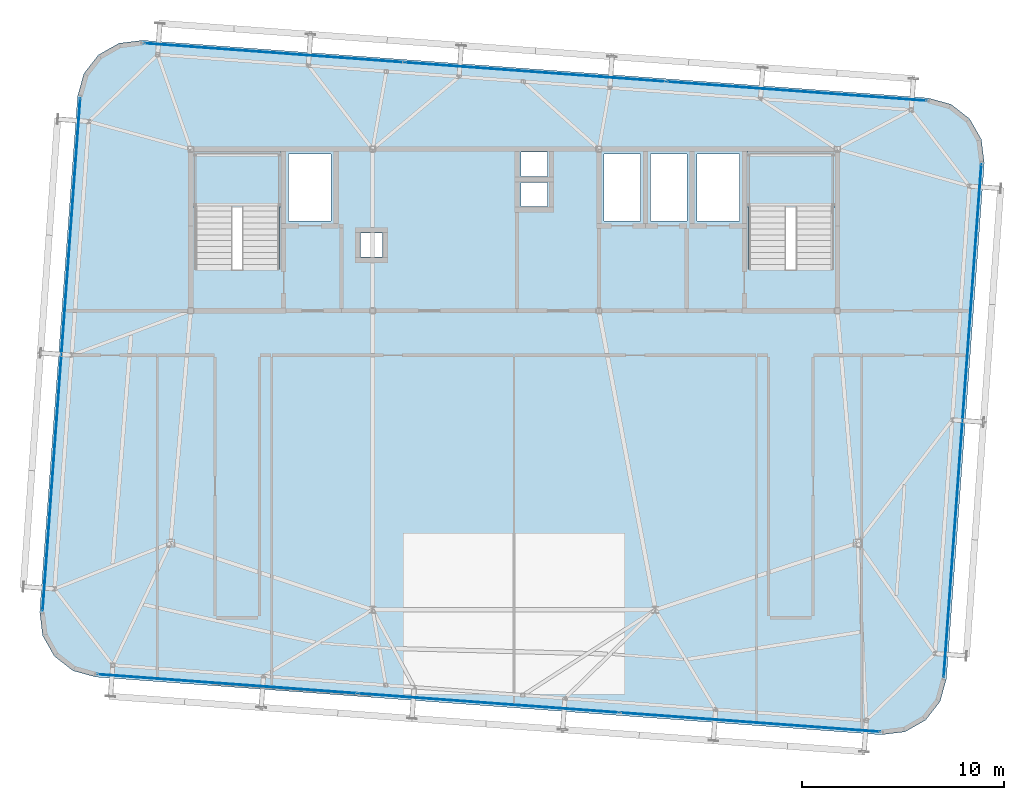
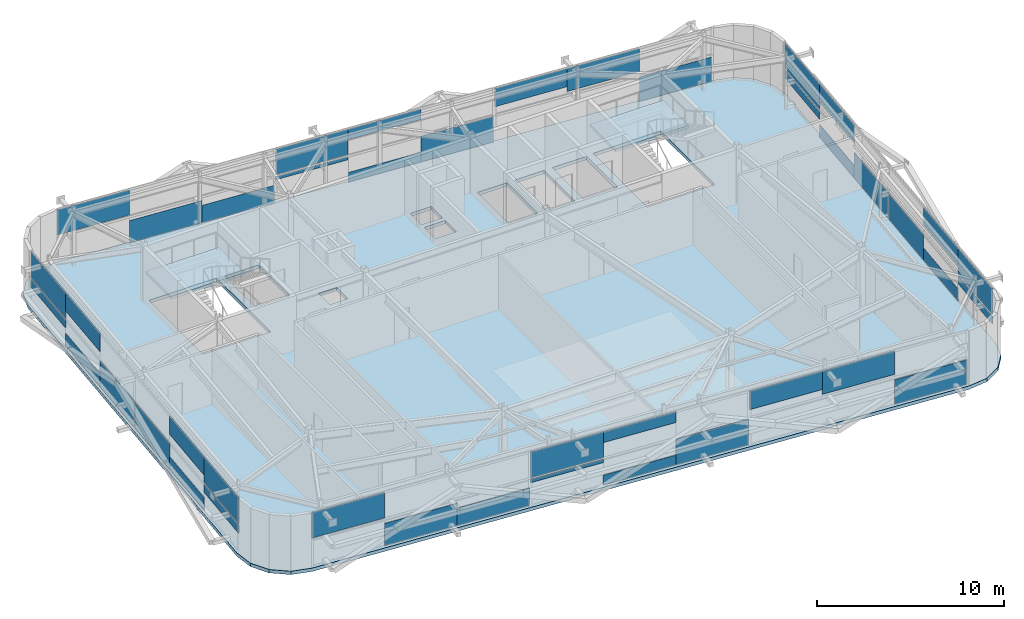
# One storey, part 23 of 35: 42 plates, 3 slabs, 10 elements without a shape of their own.
"""IFC4 building model written with IfcOpenShell, lengths in metres."""

from ifc_helpers import new_model, si_unit, direction, frame, origin, origin_2d, place, context, subcontext, project, spatial, polyline, rectangle, outline, extrude, source, transform, mapped, material, layer, layer_set, type_object, element, aggregate, save


model = new_model("IFC4")

# Units and contexts
model_context = context("Model", 3, precision=1e-05, world=origin(), true_north=direction((0.0, 1.0)))
body_context = subcontext(model_context, "Body", "Model", "MODEL_VIEW")
ifc_project = project(units=[si_unit("LENGTHUNIT", "METRE"), si_unit("AREAUNIT", "SQUARE_METRE"), si_unit("VOLUMEUNIT", "CUBIC_METRE"), si_unit("PLANEANGLEUNIT", "RADIAN"), si_unit("MASSUNIT", "GRAM", prefix="KILO")], contexts=[model_context])

# Site, building, storey
site_placement = place(None, origin())
site = spatial("IfcSite", under=ifc_project, at=site_placement, CompositionType="ELEMENT")
building_placement = place(site_placement, origin())
building = spatial("IfcBuilding", under=site, at=building_placement, Name="Taldren Reach Tower", CompositionType="ELEMENT")
storey_placement = place(building_placement, frame((0.0, 0.0, 249.199951171875)))
storey = spatial("IfcBuildingStorey", under=building, at=storey_placement, Name="L76", CompositionType="ELEMENT", Elevation=249.199951171875)

# Slab
ifc_material_1 = material(Name="Concrete N40 (40 MPa)", Category="concrete")
ifc_layer_1 = layer(ifc_material_1, 0.219970703125)
ifc_layer_set_1 = layer_set([ifc_layer_1], Name="Concrete N40 (40 MPa)")
slab_type_1 = type_object("IfcSlabType", Name="SL-FLR-220", PredefinedType="FLOOR", material=ifc_layer_set_1)
slab_1_placement = place(storey_placement, frame((0.0, 0.0, -0.219970703125)))
element("IfcSlab", 1, at=slab_1_placement, inside=storey, type_object=slab_type_1, Name="Suspended floor slab L76", PredefinedType="FLOOR", context=body_context, shape_type="SweptSolid", body=[
    extrude(outline(polyline([(53.1904296875, 3.014404296875), (54.35205078125, 3.157958984375), (55.370361328125, 3.7353515625), (56.09033203125, 4.658203125), (56.402099609375, 5.78662109375), (58.277099609375, 31.31787109375), (58.13330078125, 32.4794921875), (57.55615234375, 33.497802734375), (56.633056640625, 34.217529296875), (55.5048828125, 34.529541015625), (16.609619140625, 37.3857421875), (15.44775390625, 37.241943359375), (14.429443359375, 36.664794921875), (13.709716796875, 35.74169921875), (13.39794921875, 34.613525390625), (11.52294921875, 9.082275390625), (11.666748046875, 7.920654296875), (12.243896484375, 6.90234375), (13.1669921875, 6.182373046875), (14.295166015625, 5.87060546875), (53.1904296875, 3.014404296875)]), holes=[polyline([(19.219970703125, 26.050048828125), (23.3798828125, 26.050048828125), (23.3798828125, 31.820068359375), (19.219970703125, 31.820068359375), (19.219970703125, 26.050048828125)]), polyline([(46.6201171875, 26.050048828125), (50.780029296875, 26.050048828125), (50.780029296875, 31.820068359375), (46.6201171875, 31.820068359375), (46.6201171875, 26.050048828125)]), polyline([(23.85009765625, 28.449951171875), (25.949951171875, 28.449951171875), (25.949951171875, 31.75), (23.85009765625, 31.75), (23.85009765625, 28.449951171875)]), polyline([(44.050048828125, 28.449951171875), (46.14990234375, 28.449951171875), (46.14990234375, 31.75), (44.050048828125, 31.75), (44.050048828125, 28.449951171875)]), polyline([(39.449951171875, 28.449951171875), (41.25, 28.449951171875), (41.25, 31.75), (39.449951171875, 31.75), (39.449951171875, 28.449951171875)]), polyline([(41.75, 28.449951171875), (43.550048828125, 28.449951171875), (43.550048828125, 31.75), (41.75, 31.75), (41.75, 28.449951171875)]), polyline([(35.35009765625, 30.64990234375), (36.64990234375, 30.64990234375), (36.64990234375, 31.85009765625), (35.35009765625, 31.85009765625), (35.35009765625, 30.64990234375)]), polyline([(35.35009765625, 29.14990234375), (36.64990234375, 29.14990234375), (36.64990234375, 30.35009765625), (35.35009765625, 30.35009765625), (35.35009765625, 29.14990234375)]), polyline([(27.39990234375, 26.64990234375), (28.5, 26.64990234375), (28.5, 27.85009765625), (27.39990234375, 27.85009765625), (27.39990234375, 26.64990234375)])]), origin(), (0.0, 0.0, 1.0), 0.219970703125),
])

# Stair, slab
ifc_material_2 = material(Name="Concrete S50 (50 MPa)", Category="concrete")
stair_type = type_object("IfcStairType", Name="ST-HT-385", PredefinedType="HALF_TURN_STAIR", material=ifc_material_2)
stair_1_placement = place(storey_placement, origin())
stair_1 = element("IfcStair", 2, at=stair_1_placement, inside=storey, type_object=stair_type, Name="Fire-isolated exit stair ST1 L76", PredefinedType="HALF_TURN_STAIR")
ifc_layer_2 = layer(ifc_material_2, 0.179931640625)
ifc_layer_set_2 = layer_set([ifc_layer_2], Name="Concrete S50 (50 MPa)")
slab_type_2 = type_object("IfcSlabType", Name="SL-LAND-180", PredefinedType="LANDING", material=ifc_layer_set_2)
slab_2_placement = place(storey_placement, frame((0.0, 0.0, 1.7451171875)))
slab_2 = element("IfcSlab", 3, at=slab_2_placement, type_object=slab_type_2, Name="ST1 landing 1", PredefinedType="LANDING", context=body_context, shape_type="SweptSolid", body=[
    extrude(outline(polyline([(19.0400390625, 29.135009765625), (23.56005859375, 29.135009765625), (23.56005859375, 31.8701171875), (19.0400390625, 31.8701171875), (19.0400390625, 29.135009765625)])), origin(), (0.0, 0.0, 1.0), 0.179931640625),
])
aggregate(stair_1, [slab_2])

stair_2_placement = place(storey_placement, origin())
stair_2 = element("IfcStair", 4, at=stair_2_placement, inside=storey, type_object=stair_type, Name="Fire-isolated exit stair ST2 L76", PredefinedType="HALF_TURN_STAIR")
slab_3_placement = place(storey_placement, frame((0.0, 0.0, 1.7451171875)))
slab_3 = element("IfcSlab", 5, at=slab_3_placement, type_object=slab_type_2, Name="ST2 landing 1", PredefinedType="LANDING", context=body_context, shape_type="SweptSolid", body=[
    extrude(outline(polyline([(46.43994140625, 29.135009765625), (50.9599609375, 29.135009765625), (50.9599609375, 31.8701171875), (46.43994140625, 31.8701171875), (46.43994140625, 29.135009765625)])), origin(), (0.0, 0.0, 1.0), 0.179931640625),
])
aggregate(stair_2, [slab_3])

# Curtain wall, plate
ifc_material_3 = material(Name="Aluminium and Low-E Glass Unitised System", Category="aluminium")
ifc_layer_3 = layer(ifc_material_3, 0.159912109375)
ifc_layer_set_3 = layer_set([ifc_layer_3], Name="Aluminium and Low-E Glass Unitised System")
curtain_wall_type = type_object("IfcCurtainWallType", Name="CW-SYS-6", PredefinedType="NOTDEFINED", material=ifc_layer_set_3)
curtain_wall_1_placement = place(storey_placement, origin())
curtain_wall_1 = element("IfcCurtainWall", 6, at=curtain_wall_1_placement, inside=storey, type_object=curtain_wall_type, Name="Unitised curtain wall CW-L76-S", PredefinedType="NOTDEFINED")
ifc_material_4 = material(Name="Acoustic Triple-Laminated IGU", Category="glass")
ifc_layer_4 = layer(ifc_material_4, 0.035888671875)
ifc_layer_set_4 = layer_set([ifc_layer_4], Name="Acoustic Triple-Laminated IGU")
plate_type = type_object("IfcPlateType", Name="CW-PNL-IGU36", PredefinedType="CURTAIN_PANEL", material=ifc_layer_set_4)
shared_shape_1 = source(origin(), body_context, "Body", "SweptSolid", [
    extrude(rectangle(XDim=4.2958984375, YDim=0.035888671875, at=origin_2d()), origin(), (0.0, 0.0, 1.0), 1.44482421875),
])
plate_1_placement = place(storey_placement, frame((20.806640625, 5.53271484375, 0.06005859375), z_axis=(0.0, 0.0, 1.0), x_axis=(0.997314476006, -0.073238213716, 0.0)))
plate_1 = element("IfcPlate", 7, at=plate_1_placement, type_object=plate_type, Name="CW-6 panel 1.1 part 1", PredefinedType="CURTAIN_PANEL", context=body_context, shape_type="MappedRepresentation", body=[
    mapped(shared_shape_1, transform((0.0, 0.0, 0.0), scale=1.0)),
])

curtain_wall_2_placement = place(storey_placement, origin())
curtain_wall_2 = element("IfcCurtainWall", 8, at=curtain_wall_2_placement, inside=storey, type_object=curtain_wall_type, Name="Unitised curtain wall CW-L76-N", PredefinedType="NOTDEFINED")
plate_2_placement = place(storey_placement, frame((23.1005859375, 36.7685546875, 0.06005859375), z_axis=(0.0, 0.0, 1.0), x_axis=(-0.997314476006, 0.073238213716, 0.0)))
plate_2 = element("IfcPlate", 9, at=plate_2_placement, type_object=plate_type, Name="CW-6 panel 3.1 part 2", PredefinedType="CURTAIN_PANEL", context=body_context, shape_type="MappedRepresentation", body=[
    mapped(shared_shape_1, transform((0.0, 0.0, 0.0), scale=1.0)),
])

# Plate
shared_shape_2 = source(origin(), body_context, "Body", "SweptSolid", [
    extrude(rectangle(XDim=4.2958984375, YDim=0.035888671875, at=origin_2d()), origin(), (0.0, 0.0, 1.0), 1.12744140625),
])
plate_3_placement = place(storey_placement, frame((25.091064453125, 5.21826171875, 0.06005859375), z_axis=(0.0, 0.0, 1.0), x_axis=(0.997314476006, -0.073238213716, 0.0)))
plate_3 = element("IfcPlate", 10, at=plate_3_placement, type_object=plate_type, Name="CW-6 panel 1.1 part 2", PredefinedType="CURTAIN_PANEL", context=body_context, shape_type="MappedRepresentation", body=[
    mapped(shared_shape_2, transform((0.0, 0.0, 0.0), scale=1.0)),
])

plate_4_placement = place(storey_placement, frame((27.384765625, 36.4541015625, 0.06005859375), z_axis=(0.0, 0.0, 1.0), x_axis=(-0.997314476006, 0.073238213716, 0.0)))
plate_4 = element("IfcPlate", 11, at=plate_4_placement, type_object=plate_type, Name="CW-6 panel 3.1 part 1", PredefinedType="CURTAIN_PANEL", context=body_context, shape_type="MappedRepresentation", body=[
    mapped(shared_shape_2, transform((0.0, 0.0, 0.0), scale=1.0)),
])

shared_shape_3 = source(origin(), body_context, "Body", "SweptSolid", [
    extrude(rectangle(XDim=4.308349609375, YDim=0.035888671875, at=origin_2d()), origin(), (0.0, 0.0, 1.0), 0.20703125),
])
plate_5_placement = place(storey_placement, frame((29.456298828125, 4.897705078125, 1.51806640625), z_axis=(0.0, 0.0, 1.0), x_axis=(0.997314476006, -0.073238213716, 0.0)))
plate_5 = element("IfcPlate", 12, at=plate_5_placement, type_object=plate_type, Name="CW-6 panel 2.1 part 1", PredefinedType="CURTAIN_PANEL", context=body_context, shape_type="MappedRepresentation", body=[
    mapped(shared_shape_3, transform((0.0, 0.0, 0.0), scale=1.0)),
])

plate_6_placement = place(storey_placement, frame((31.750244140625, 36.133544921875, 1.51806640625), z_axis=(0.0, 0.0, 1.0), x_axis=(-0.997314476006, 0.073238213716, 0.0)))
plate_6 = element("IfcPlate", 13, at=plate_6_placement, type_object=plate_type, Name="CW-6 panel 2.1 part 3", PredefinedType="CURTAIN_PANEL", context=body_context, shape_type="MappedRepresentation", body=[
    mapped(shared_shape_3, transform((0.0, 0.0, 0.0), scale=1.0)),
])

shared_shape_4 = source(origin(), body_context, "Body", "SweptSolid", [
    extrude(rectangle(XDim=4.308349609375, YDim=0.035888671875, at=origin_2d()), origin(), (0.0, 0.0, 1.0), 0.630126953125),
])
plate_7_placement = place(storey_placement, frame((33.753173828125, 4.58203125, 0.06005859375), z_axis=(0.0, 0.0, 1.0), x_axis=(0.997314476006, -0.073238213716, 0.0)))
plate_7 = element("IfcPlate", 14, at=plate_7_placement, type_object=plate_type, Name="CW-6 panel 2.1 part 2", PredefinedType="CURTAIN_PANEL", context=body_context, shape_type="MappedRepresentation", body=[
    mapped(shared_shape_4, transform((0.0, 0.0, 0.0), scale=1.0)),
])

plate_8_placement = place(storey_placement, frame((36.046875, 35.81787109375, 0.06005859375), z_axis=(0.0, 0.0, 1.0), x_axis=(-0.997314476006, 0.073238213716, 0.0)))
plate_8 = element("IfcPlate", 15, at=plate_8_placement, type_object=plate_type, Name="CW-6 panel 2.1 part 2", PredefinedType="CURTAIN_PANEL", context=body_context, shape_type="MappedRepresentation", body=[
    mapped(shared_shape_4, transform((0.0, 0.0, 0.0), scale=1.0)),
])

shared_shape_5 = source(origin(), body_context, "Body", "SweptSolid", [
    extrude(rectangle(XDim=4.308349609375, YDim=0.035888671875, at=origin_2d()), origin(), (0.0, 0.0, 1.0), 1.6650390625),
])
plate_9_placement = place(storey_placement, frame((38.0498046875, 4.2666015625, 0.06005859375), z_axis=(0.0, 0.0, 1.0), x_axis=(0.997314476006, -0.073238213716, 0.0)))
plate_9 = element("IfcPlate", 16, at=plate_9_placement, type_object=plate_type, Name="CW-6 panel 2.1 part 3", PredefinedType="CURTAIN_PANEL", context=body_context, shape_type="MappedRepresentation", body=[
    mapped(shared_shape_5, transform((0.0, 0.0, 0.0), scale=1.0)),
])

# Curtain wall, plate
curtain_wall_3_placement = place(storey_placement, origin())
curtain_wall_3 = element("IfcCurtainWall", 17, at=curtain_wall_3_placement, inside=storey, type_object=curtain_wall_type, Name="Unitised curtain wall CW-L76-S-T2", PredefinedType="NOTDEFINED")
plate_10_placement = place(storey_placement, frame((29.456298828125, 4.897705078125, 1.844970703125), z_axis=(0.0, 0.0, 1.0), x_axis=(0.997314476006, -0.073238213716, 0.0)))
plate_10 = element("IfcPlate", 18, at=plate_10_placement, type_object=plate_type, Name="CW-6 panel 2.1 part 1", PredefinedType="CURTAIN_PANEL", context=body_context, shape_type="MappedRepresentation", body=[
    mapped(shared_shape_5, transform((0.0, 0.0, 0.0), scale=1.0)),
])

# Plate
plate_11_placement = place(storey_placement, frame((40.34375, 35.50244140625, 0.06005859375), z_axis=(0.0, 0.0, 1.0), x_axis=(-0.997314476006, 0.073238213716, 0.0)))
plate_11 = element("IfcPlate", 19, at=plate_11_placement, type_object=plate_type, Name="CW-6 panel 2.1 part 1", PredefinedType="CURTAIN_PANEL", context=body_context, shape_type="MappedRepresentation", body=[
    mapped(shared_shape_5, transform((0.0, 0.0, 0.0), scale=1.0)),
])

# Curtain wall, plate
curtain_wall_4_placement = place(storey_placement, origin())
curtain_wall_4 = element("IfcCurtainWall", 20, at=curtain_wall_4_placement, inside=storey, type_object=curtain_wall_type, Name="Unitised curtain wall CW-L76-N-T2", PredefinedType="NOTDEFINED")
plate_12_placement = place(storey_placement, frame((31.750244140625, 36.133544921875, 1.844970703125), z_axis=(0.0, 0.0, 1.0), x_axis=(-0.997314476006, 0.073238213716, 0.0)))
plate_12 = element("IfcPlate", 21, at=plate_12_placement, type_object=plate_type, Name="CW-6 panel 2.1 part 2", PredefinedType="CURTAIN_PANEL", context=body_context, shape_type="MappedRepresentation", body=[
    mapped(shared_shape_5, transform((0.0, 0.0, 0.0), scale=1.0)),
])

# Plate
shared_shape_6 = source(origin(), body_context, "Body", "SweptSolid", [
    extrude(rectangle(XDim=4.2958984375, YDim=0.035888671875, at=origin_2d()), origin(), (0.0, 0.0, 1.0), 1.583740234375),
])
plate_13_placement = place(storey_placement, frame((50.98388671875, 3.316650390625, 0.06005859375), z_axis=(0.0, 0.0, 1.0), x_axis=(0.997314476006, -0.073238213716, 0.0)))
plate_13 = element("IfcPlate", 22, at=plate_13_placement, type_object=plate_type, Name="CW-6 panel 3.1 part 1", PredefinedType="CURTAIN_PANEL", context=body_context, shape_type="MappedRepresentation", body=[
    mapped(shared_shape_6, transform((0.0, 0.0, 0.0), scale=1.0)),
])

aggregate(curtain_wall_1, [plate_1, plate_3, plate_5, plate_7, plate_9, plate_13])

plate_14_placement = place(storey_placement, frame((53.277587890625, 34.552490234375, 0.06005859375), z_axis=(0.0, 0.0, 1.0), x_axis=(-0.997314476006, 0.073238213716, 0.0)))
plate_14 = element("IfcPlate", 23, at=plate_14_placement, type_object=plate_type, Name="CW-6 panel 1.1 part 1", PredefinedType="CURTAIN_PANEL", context=body_context, shape_type="MappedRepresentation", body=[
    mapped(shared_shape_6, transform((0.0, 0.0, 0.0), scale=1.0)),
])

aggregate(curtain_wall_2, [plate_14, plate_11, plate_8, plate_6, plate_4, plate_2])

shared_shape_7 = source(origin(), body_context, "Body", "SweptSolid", [
    extrude(rectangle(XDim=4.2958984375, YDim=0.035888671875, at=origin_2d()), origin(), (0.0, 0.0, 1.0), 1.643798828125),
])
plate_15_placement = place(storey_placement, frame((16.5224609375, 5.847412109375, 1.8662109375), z_axis=(0.0, 0.0, 1.0), x_axis=(0.997314476006, -0.073238213716, 0.0)))
plate_15 = element("IfcPlate", 24, at=plate_15_placement, type_object=plate_type, Name="CW-6 panel 1.1 part 1", PredefinedType="CURTAIN_PANEL", context=body_context, shape_type="MappedRepresentation", body=[
    mapped(shared_shape_7, transform((0.0, 0.0, 0.0), scale=1.0)),
])

plate_16_placement = place(storey_placement, frame((18.816162109375, 37.083251953125, 1.8662109375), z_axis=(0.0, 0.0, 1.0), x_axis=(-0.997314476006, 0.073238213716, 0.0)))
plate_16 = element("IfcPlate", 25, at=plate_16_placement, type_object=plate_type, Name="CW-6 panel 3.1 part 1", PredefinedType="CURTAIN_PANEL", context=body_context, shape_type="MappedRepresentation", body=[
    mapped(shared_shape_7, transform((0.0, 0.0, 0.0), scale=1.0)),
])

shared_shape_8 = source(origin(), body_context, "Body", "SweptSolid", [
    extrude(rectangle(XDim=4.308349609375, YDim=0.035888671875, at=origin_2d()), origin(), (0.0, 0.0, 1.0), 0.690185546875),
])
plate_17_placement = place(storey_placement, frame((33.753173828125, 4.58203125, 2.81982421875), z_axis=(0.0, 0.0, 1.0), x_axis=(0.997314476006, -0.073238213716, 0.0)))
plate_17 = element("IfcPlate", 26, at=plate_17_placement, type_object=plate_type, Name="CW-6 panel 2.1 part 2", PredefinedType="CURTAIN_PANEL", context=body_context, shape_type="MappedRepresentation", body=[
    mapped(shared_shape_8, transform((0.0, 0.0, 0.0), scale=1.0)),
])

plate_18_placement = place(storey_placement, frame((36.046875, 35.81787109375, 2.81982421875), z_axis=(0.0, 0.0, 1.0), x_axis=(-0.997314476006, 0.073238213716, 0.0)))
plate_18 = element("IfcPlate", 27, at=plate_18_placement, type_object=plate_type, Name="CW-6 panel 2.1 part 1", PredefinedType="CURTAIN_PANEL", context=body_context, shape_type="MappedRepresentation", body=[
    mapped(shared_shape_8, transform((0.0, 0.0, 0.0), scale=1.0)),
])

shared_shape_9 = source(origin(), body_context, "Body", "SweptSolid", [
    extrude(rectangle(XDim=4.2958984375, YDim=0.035888671875, at=origin_2d()), origin(), (0.0, 0.0, 1.0), 1.1875),
])
plate_19_placement = place(storey_placement, frame((42.415283203125, 3.946044921875, 2.322509765625), z_axis=(0.0, 0.0, 1.0), x_axis=(0.997314476006, -0.073238213716, 0.0)))
plate_19 = element("IfcPlate", 28, at=plate_19_placement, type_object=plate_type, Name="CW-6 panel 3.1 part 1", PredefinedType="CURTAIN_PANEL", context=body_context, shape_type="MappedRepresentation", body=[
    mapped(shared_shape_9, transform((0.0, 0.0, 0.0), scale=1.0)),
])

plate_20_placement = place(storey_placement, frame((44.708984375, 35.181884765625, 2.322509765625), z_axis=(0.0, 0.0, 1.0), x_axis=(-0.997314476006, 0.073238213716, 0.0)))
plate_20 = element("IfcPlate", 29, at=plate_20_placement, type_object=plate_type, Name="CW-6 panel 1.1 part 2", PredefinedType="CURTAIN_PANEL", context=body_context, shape_type="MappedRepresentation", body=[
    mapped(shared_shape_9, transform((0.0, 0.0, 0.0), scale=1.0)),
])

shared_shape_10 = source(origin(), body_context, "Body", "SweptSolid", [
    extrude(rectangle(XDim=4.2958984375, YDim=0.035888671875, at=origin_2d()), origin(), (0.0, 0.0, 1.0), 1.5048828125),
])
plate_21_placement = place(storey_placement, frame((46.699462890625, 3.63134765625, 2.005126953125), z_axis=(0.0, 0.0, 1.0), x_axis=(0.997314476006, -0.073238213716, 0.0)))
plate_21 = element("IfcPlate", 30, at=plate_21_placement, type_object=plate_type, Name="CW-6 panel 3.1 part 2", PredefinedType="CURTAIN_PANEL", context=body_context, shape_type="MappedRepresentation", body=[
    mapped(shared_shape_10, transform((0.0, 0.0, 0.0), scale=1.0)),
])

aggregate(curtain_wall_3, [plate_15, plate_10, plate_17, plate_19, plate_21])

plate_22_placement = place(storey_placement, frame((48.993408203125, 34.8671875, 2.005126953125), z_axis=(0.0, 0.0, 1.0), x_axis=(-0.997314476006, 0.073238213716, 0.0)))
plate_22 = element("IfcPlate", 31, at=plate_22_placement, type_object=plate_type, Name="CW-6 panel 1.1 part 1", PredefinedType="CURTAIN_PANEL", context=body_context, shape_type="MappedRepresentation", body=[
    mapped(shared_shape_10, transform((0.0, 0.0, 0.0), scale=1.0)),
])

aggregate(curtain_wall_4, [plate_22, plate_20, plate_18, plate_12, plate_16])

# Curtain wall, plates
curtain_wall_5_placement = place(storey_placement, origin())
curtain_wall_5 = element("IfcCurtainWall", 32, at=curtain_wall_5_placement, inside=storey, type_object=curtain_wall_type, Name="Unitised curtain wall CW-L76-W", PredefinedType="NOTDEFINED")
shared_shape_11 = source(origin(), body_context, "Body", "SweptSolid", [
    extrude(rectangle(XDim=4.229248046875, YDim=0.035888671875, at=origin_2d()), origin(), (0.0, 0.0, 1.0), 0.51025390625),
])
plate_23_placement = place(storey_placement, frame((13.377197265625, 32.41943359375, 1.21484375), z_axis=(0.0, 0.0, 1.0), x_axis=(-0.073238282558, -0.997314470951, 0.0)))
plate_23 = element("IfcPlate", 33, at=plate_23_placement, type_object=plate_type, Name="CW-6 panel 1.1 part 1", PredefinedType="CURTAIN_PANEL", context=body_context, shape_type="MappedRepresentation", body=[
    mapped(shared_shape_11, transform((0.0, 0.0, 0.0), scale=1.0)),
])
plate_24_placement = place(storey_placement, frame((11.822998046875, 11.255615234375, 1.21484375), z_axis=(0.0, 0.0, 1.0), x_axis=(-0.073238282558, -0.997314470951, 0.0)))
plate_24 = element("IfcPlate", 34, at=plate_24_placement, type_object=plate_type, Name="CW-6 panel 2.1 part 3", PredefinedType="CURTAIN_PANEL", context=body_context, shape_type="MappedRepresentation", body=[
    mapped(shared_shape_11, transform((0.0, 0.0, 0.0), scale=1.0)),
])

curtain_wall_6_placement = place(storey_placement, origin())
curtain_wall_6 = element("IfcCurtainWall", 35, at=curtain_wall_6_placement, inside=storey, type_object=curtain_wall_type, Name="Unitised curtain wall CW-L76-E", PredefinedType="NOTDEFINED")
plate_25_placement = place(storey_placement, frame((56.4228515625, 7.98046875, 1.21484375), z_axis=(0.0, 0.0, 1.0), x_axis=(0.073238282558, 0.997314470951, 0.0)))
plate_25 = element("IfcPlate", 36, at=plate_25_placement, type_object=plate_type, Name="CW-6 panel 1.1 part 1", PredefinedType="CURTAIN_PANEL", context=body_context, shape_type="MappedRepresentation", body=[
    mapped(shared_shape_11, transform((0.0, 0.0, 0.0), scale=1.0)),
])
plate_26_placement = place(storey_placement, frame((57.97705078125, 29.144287109375, 1.21484375), z_axis=(0.0, 0.0, 1.0), x_axis=(0.073238282558, 0.997314470951, 0.0)))
plate_26 = element("IfcPlate", 37, at=plate_26_placement, type_object=plate_type, Name="CW-6 panel 2.1 part 3", PredefinedType="CURTAIN_PANEL", context=body_context, shape_type="MappedRepresentation", body=[
    mapped(shared_shape_11, transform((0.0, 0.0, 0.0), scale=1.0)),
])

# Plate
shared_shape_12 = source(origin(), body_context, "Body", "SweptSolid", [
    extrude(rectangle(XDim=4.229248046875, YDim=0.035888671875, at=origin_2d()), origin(), (0.0, 0.0, 1.0), 0.808349609375),
])
plate_27_placement = place(storey_placement, frame((13.0673828125, 28.20166015625, 0.06005859375), z_axis=(0.0, 0.0, 1.0), x_axis=(-0.073238282558, -0.997314470951, 0.0)))
plate_27 = element("IfcPlate", 38, at=plate_27_placement, type_object=plate_type, Name="CW-6 panel 1.1 part 2", PredefinedType="CURTAIN_PANEL", context=body_context, shape_type="MappedRepresentation", body=[
    mapped(shared_shape_12, transform((0.0, 0.0, 0.0), scale=1.0)),
])

plate_28_placement = place(storey_placement, frame((12.1328125, 15.473388671875, 0.06005859375), z_axis=(0.0, 0.0, 1.0), x_axis=(-0.073238282558, -0.997314470951, 0.0)))
plate_28 = element("IfcPlate", 39, at=plate_28_placement, type_object=plate_type, Name="CW-6 panel 2.1 part 2", PredefinedType="CURTAIN_PANEL", context=body_context, shape_type="MappedRepresentation", body=[
    mapped(shared_shape_12, transform((0.0, 0.0, 0.0), scale=1.0)),
])

plate_29_placement = place(storey_placement, frame((56.732666015625, 12.1982421875, 0.06005859375), z_axis=(0.0, 0.0, 1.0), x_axis=(0.073238282558, 0.997314470951, 0.0)))
plate_29 = element("IfcPlate", 40, at=plate_29_placement, type_object=plate_type, Name="CW-6 panel 1.1 part 2", PredefinedType="CURTAIN_PANEL", context=body_context, shape_type="MappedRepresentation", body=[
    mapped(shared_shape_12, transform((0.0, 0.0, 0.0), scale=1.0)),
])

plate_30_placement = place(storey_placement, frame((57.667236328125, 24.926513671875, 0.06005859375), z_axis=(0.0, 0.0, 1.0), x_axis=(0.073238282558, 0.997314470951, 0.0)))
plate_30 = element("IfcPlate", 41, at=plate_30_placement, type_object=plate_type, Name="CW-6 panel 2.1 part 2", PredefinedType="CURTAIN_PANEL", context=body_context, shape_type="MappedRepresentation", body=[
    mapped(shared_shape_12, transform((0.0, 0.0, 0.0), scale=1.0)),
])

shared_shape_13 = source(origin(), body_context, "Body", "SweptSolid", [
    extrude(rectangle(XDim=4.229248046875, YDim=0.035888671875, at=origin_2d()), origin(), (0.0, 0.0, 1.0), 1.6650390625),
])
plate_31_placement = place(storey_placement, frame((12.757568359375, 23.98388671875, 0.06005859375), z_axis=(0.0, 0.0, 1.0), x_axis=(-0.073238282558, -0.997314470951, 0.0)))
plate_31 = element("IfcPlate", 42, at=plate_31_placement, type_object=plate_type, Name="CW-6 panel 1.1 part 3", PredefinedType="CURTAIN_PANEL", context=body_context, shape_type="MappedRepresentation", body=[
    mapped(shared_shape_13, transform((0.0, 0.0, 0.0), scale=1.0)),
])

plate_32_placement = place(storey_placement, frame((12.4423828125, 19.69140625, 0.06005859375), z_axis=(0.0, 0.0, 1.0), x_axis=(-0.073238282558, -0.997314470951, 0.0)))
plate_32 = element("IfcPlate", 43, at=plate_32_placement, type_object=plate_type, Name="CW-6 panel 2.1 part 1", PredefinedType="CURTAIN_PANEL", context=body_context, shape_type="MappedRepresentation", body=[
    mapped(shared_shape_13, transform((0.0, 0.0, 0.0), scale=1.0)),
])

aggregate(curtain_wall_5, [plate_23, plate_27, plate_31, plate_32, plate_28, plate_24])

# Curtain wall, plates
curtain_wall_7_placement = place(storey_placement, origin())
curtain_wall_7 = element("IfcCurtainWall", 44, at=curtain_wall_7_placement, inside=storey, type_object=curtain_wall_type, Name="Unitised curtain wall CW-L76-W-T2", PredefinedType="NOTDEFINED")
plate_33_placement = place(storey_placement, frame((13.377197265625, 32.41943359375, 1.844970703125), z_axis=(0.0, 0.0, 1.0), x_axis=(-0.073238282558, -0.997314470951, 0.0)))
plate_33 = element("IfcPlate", 45, at=plate_33_placement, type_object=plate_type, Name="CW-6 panel 1.1 part 1", PredefinedType="CURTAIN_PANEL", context=body_context, shape_type="MappedRepresentation", body=[
    mapped(shared_shape_13, transform((0.0, 0.0, 0.0), scale=1.0)),
])
plate_34_placement = place(storey_placement, frame((11.822998046875, 11.255615234375, 1.844970703125), z_axis=(0.0, 0.0, 1.0), x_axis=(-0.073238282558, -0.997314470951, 0.0)))
plate_34 = element("IfcPlate", 46, at=plate_34_placement, type_object=plate_type, Name="CW-6 panel 2.1 part 2", PredefinedType="CURTAIN_PANEL", context=body_context, shape_type="MappedRepresentation", body=[
    mapped(shared_shape_13, transform((0.0, 0.0, 0.0), scale=1.0)),
])

# Plate
plate_35_placement = place(storey_placement, frame((57.042236328125, 16.416015625, 0.06005859375), z_axis=(0.0, 0.0, 1.0), x_axis=(0.073238282558, 0.997314470951, 0.0)))
plate_35 = element("IfcPlate", 47, at=plate_35_placement, type_object=plate_type, Name="CW-6 panel 1.1 part 3", PredefinedType="CURTAIN_PANEL", context=body_context, shape_type="MappedRepresentation", body=[
    mapped(shared_shape_13, transform((0.0, 0.0, 0.0), scale=1.0)),
])

plate_36_placement = place(storey_placement, frame((57.357666015625, 20.708740234375, 0.06005859375), z_axis=(0.0, 0.0, 1.0), x_axis=(0.073238282558, 0.997314470951, 0.0)))
plate_36 = element("IfcPlate", 48, at=plate_36_placement, type_object=plate_type, Name="CW-6 panel 2.1 part 1", PredefinedType="CURTAIN_PANEL", context=body_context, shape_type="MappedRepresentation", body=[
    mapped(shared_shape_13, transform((0.0, 0.0, 0.0), scale=1.0)),
])

aggregate(curtain_wall_6, [plate_25, plate_29, plate_35, plate_36, plate_30, plate_26])

# Curtain wall, plates
curtain_wall_8_placement = place(storey_placement, origin())
curtain_wall_8 = element("IfcCurtainWall", 49, at=curtain_wall_8_placement, inside=storey, type_object=curtain_wall_type, Name="Unitised curtain wall CW-L76-E-T2", PredefinedType="NOTDEFINED")
plate_37_placement = place(storey_placement, frame((56.4228515625, 7.98046875, 1.844970703125), z_axis=(0.0, 0.0, 1.0), x_axis=(0.073238282558, 0.997314470951, 0.0)))
plate_37 = element("IfcPlate", 50, at=plate_37_placement, type_object=plate_type, Name="CW-6 panel 1.1 part 1", PredefinedType="CURTAIN_PANEL", context=body_context, shape_type="MappedRepresentation", body=[
    mapped(shared_shape_13, transform((0.0, 0.0, 0.0), scale=1.0)),
])
plate_38_placement = place(storey_placement, frame((57.97705078125, 29.144287109375, 1.844970703125), z_axis=(0.0, 0.0, 1.0), x_axis=(0.073238282558, 0.997314470951, 0.0)))
plate_38 = element("IfcPlate", 51, at=plate_38_placement, type_object=plate_type, Name="CW-6 panel 2.1 part 2", PredefinedType="CURTAIN_PANEL", context=body_context, shape_type="MappedRepresentation", body=[
    mapped(shared_shape_13, transform((0.0, 0.0, 0.0), scale=1.0)),
])

# Plate
shared_shape_14 = source(origin(), body_context, "Body", "SweptSolid", [
    extrude(rectangle(XDim=4.229248046875, YDim=0.035888671875, at=origin_2d()), origin(), (0.0, 0.0, 1.0), 1.176025390625),
])
plate_39_placement = place(storey_placement, frame((13.0673828125, 28.20166015625, 2.333984375), z_axis=(0.0, 0.0, 1.0), x_axis=(-0.073238282558, -0.997314470951, 0.0)))
plate_39 = element("IfcPlate", 52, at=plate_39_placement, type_object=plate_type, Name="CW-6 panel 1.1 part 2", PredefinedType="CURTAIN_PANEL", context=body_context, shape_type="MappedRepresentation", body=[
    mapped(shared_shape_14, transform((0.0, 0.0, 0.0), scale=1.0)),
])

plate_40_placement = place(storey_placement, frame((12.1328125, 15.473388671875, 2.333984375), z_axis=(0.0, 0.0, 1.0), x_axis=(-0.073238282558, -0.997314470951, 0.0)))
plate_40 = element("IfcPlate", 53, at=plate_40_placement, type_object=plate_type, Name="CW-6 panel 2.1 part 1", PredefinedType="CURTAIN_PANEL", context=body_context, shape_type="MappedRepresentation", body=[
    mapped(shared_shape_14, transform((0.0, 0.0, 0.0), scale=1.0)),
])

aggregate(curtain_wall_7, [plate_33, plate_39, plate_40, plate_34])

plate_41_placement = place(storey_placement, frame((56.732666015625, 12.1982421875, 2.333984375), z_axis=(0.0, 0.0, 1.0), x_axis=(0.073238282558, 0.997314470951, 0.0)))
plate_41 = element("IfcPlate", 54, at=plate_41_placement, type_object=plate_type, Name="CW-6 panel 1.1 part 2", PredefinedType="CURTAIN_PANEL", context=body_context, shape_type="MappedRepresentation", body=[
    mapped(shared_shape_14, transform((0.0, 0.0, 0.0), scale=1.0)),
])

plate_42_placement = place(storey_placement, frame((57.667236328125, 24.926513671875, 2.333984375), z_axis=(0.0, 0.0, 1.0), x_axis=(0.073238282558, 0.997314470951, 0.0)))
plate_42 = element("IfcPlate", 55, at=plate_42_placement, type_object=plate_type, Name="CW-6 panel 2.1 part 1", PredefinedType="CURTAIN_PANEL", context=body_context, shape_type="MappedRepresentation", body=[
    mapped(shared_shape_14, transform((0.0, 0.0, 0.0), scale=1.0)),
])

aggregate(curtain_wall_8, [plate_37, plate_41, plate_42, plate_38])

save(model, "model.ifc")
